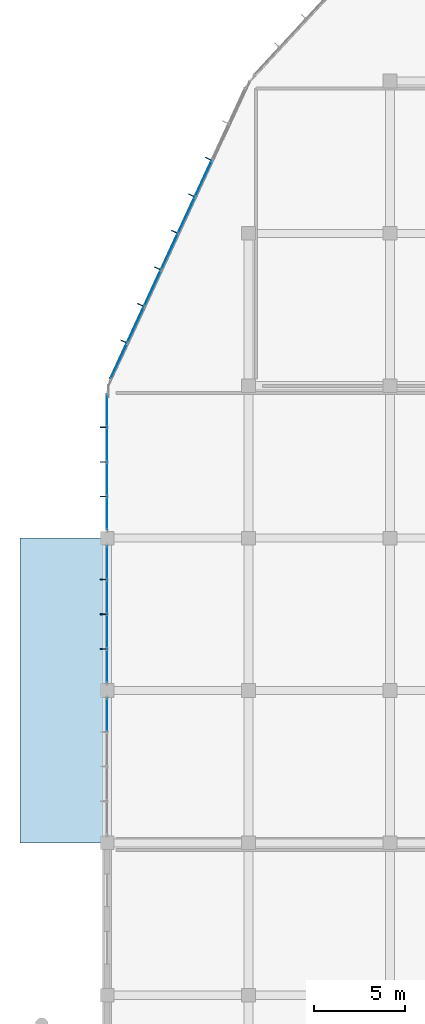
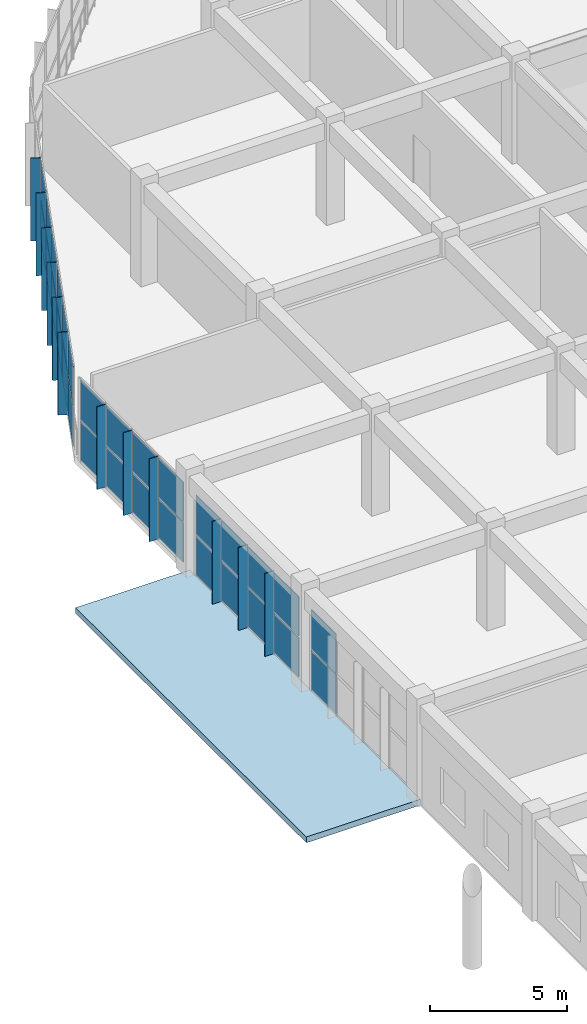
# One storey, part 134 of 175: 42 plates, 1 slab, 4 elements without a shape of their own.
"""IFC4 building model written with IfcOpenShell, lengths in metres."""

from ifc_helpers import new_model, si_unit, direction, frame, origin, origin_2d, place, context, subcontext, project, spatial, polyline, rectangle, outline, extrude, material, layer, layer_set, type_object, element, aggregate, save


model = new_model("IFC4")

# Units and contexts
model_context = context("Model", 3, precision=1e-05, world=origin(), true_north=direction((0.0, 1.0)))
body_context = subcontext(model_context, "Body", "Model", "MODEL_VIEW")
ifc_project = project(units=[si_unit("LENGTHUNIT", "METRE"), si_unit("AREAUNIT", "SQUARE_METRE"), si_unit("VOLUMEUNIT", "CUBIC_METRE"), si_unit("PLANEANGLEUNIT", "RADIAN"), si_unit("MASSUNIT", "GRAM", prefix="KILO")], contexts=[model_context])

# Site, building, storey
site_placement = place(None, origin())
site = spatial("IfcSite", under=ifc_project, at=site_placement, CompositionType="ELEMENT")
building_placement = place(site_placement, origin())
building = spatial("IfcBuilding", under=site, at=building_placement, Name="Zizhar Promenade General Hospital", CompositionType="ELEMENT")
storey_placement = place(building_placement, frame((0.0, 0.0, 4.800048828125)))
storey = spatial("IfcBuildingStorey", under=building, at=storey_placement, Name="L01", CompositionType="ELEMENT", Elevation=4.800048828125)

# Curtain wall, plates
ifc_material_1 = material(Name="Anodised aluminium 6063-T6 and low-E glass", Category="aluminium")
ifc_layer_1 = layer(ifc_material_1, 0.159912109375)
ifc_layer_set_1 = layer_set([ifc_layer_1], Name="Anodised aluminium 6063-T6 and low-E glass")
curtain_wall_type_1 = type_object("IfcCurtainWallType", Name="CW-ED-FRONT", PredefinedType="NOTDEFINED", material=ifc_layer_set_1)
curtain_wall_1_placement = place(storey_placement, origin())
curtain_wall_1 = element("IfcCurtainWall", 1, at=curtain_wall_1_placement, inside=storey, type_object=curtain_wall_type_1, Name="West Diagnostic Arm Glazed Curtain Wall L01-W3", PredefinedType="NOTDEFINED")
ifc_material_2 = material(Name="Low-E solar-control glass", Category="glass")
ifc_layer_2 = layer(ifc_material_2, 0.031982421875)
ifc_layer_set_2 = layer_set([ifc_layer_2], Name="Low-E solar-control glass")
plate_type_1 = type_object("IfcPlateType", Name="CWP-GLZ-32", PredefinedType="CURTAIN_PANEL", material=ifc_layer_set_2)
plate_1_placement = place(storey_placement, frame((0.0, 32.2451171875, 0.06005859375), z_axis=(0.0, 0.0, 1.0), x_axis=(0.0, 1.0, 0.0)))
plate_1 = element("IfcPlate", 2, at=plate_1_placement, type_object=plate_type_1, Name="CW-06 panel 4.1", PredefinedType="CURTAIN_PANEL", context=body_context, shape_type="SweptSolid", body=[
    extrude(rectangle(XDim=1.7900390625, YDim=0.031982421875, at=origin_2d()), origin(), (0.0, 0.0, 1.0), 1.75),
])
plate_2_placement = place(storey_placement, frame((0.0, 32.2451171875, 1.869873046875), z_axis=(0.0, 0.0, 1.0), x_axis=(0.0, 1.0, 0.0)))
plate_2 = element("IfcPlate", 3, at=plate_2_placement, type_object=plate_type_1, Name="CW-06 panel 4.2", PredefinedType="CURTAIN_PANEL", context=body_context, shape_type="SweptSolid", body=[
    extrude(rectangle(XDim=1.7900390625, YDim=0.031982421875, at=origin_2d()), origin(), (0.0, 0.0, 1.0), 1.75),
])
aggregate(curtain_wall_1, [plate_1, plate_2])

curtain_wall_2_placement = place(storey_placement, origin())
curtain_wall_2 = element("IfcCurtainWall", 4, at=curtain_wall_2_placement, inside=storey, type_object=curtain_wall_type_1, Name="West Diagnostic Arm Glazed Curtain Wall L01-W4", PredefinedType="NOTDEFINED")
plate_3_placement = place(storey_placement, frame((0.0, 34.955078125, 0.06005859375), z_axis=(0.0, 0.0, 1.0), x_axis=(0.0, 1.0, 0.0)))
plate_3 = element("IfcPlate", 5, at=plate_3_placement, type_object=plate_type_1, Name="CW-06 panel 1.1", PredefinedType="CURTAIN_PANEL", context=body_context, shape_type="SweptSolid", body=[
    extrude(rectangle(XDim=1.7900390625, YDim=0.031982421875, at=origin_2d()), origin(), (0.0, 0.0, 1.0), 1.75),
])
plate_4_placement = place(storey_placement, frame((0.0, 34.955078125, 1.869873046875), z_axis=(0.0, 0.0, 1.0), x_axis=(0.0, 1.0, 0.0)))
plate_4 = element("IfcPlate", 6, at=plate_4_placement, type_object=plate_type_1, Name="CW-06 panel 1.2", PredefinedType="CURTAIN_PANEL", context=body_context, shape_type="SweptSolid", body=[
    extrude(rectangle(XDim=1.7900390625, YDim=0.031982421875, at=origin_2d()), origin(), (0.0, 0.0, 1.0), 1.75),
])
plate_5_placement = place(storey_placement, frame((0.0, 36.844970703125, 0.06005859375), z_axis=(0.0, 0.0, 1.0), x_axis=(0.0, 1.0, 0.0)))
plate_5 = element("IfcPlate", 7, at=plate_5_placement, type_object=plate_type_1, Name="CW-06 panel 2.1", PredefinedType="CURTAIN_PANEL", context=body_context, shape_type="SweptSolid", body=[
    extrude(rectangle(XDim=1.830078125, YDim=0.031982421875, at=origin_2d()), origin(), (0.0, 0.0, 1.0), 1.75),
])
plate_6_placement = place(storey_placement, frame((0.0, 36.844970703125, 1.869873046875), z_axis=(0.0, 0.0, 1.0), x_axis=(0.0, 1.0, 0.0)))
plate_6 = element("IfcPlate", 8, at=plate_6_placement, type_object=plate_type_1, Name="CW-06 panel 2.2", PredefinedType="CURTAIN_PANEL", context=body_context, shape_type="SweptSolid", body=[
    extrude(rectangle(XDim=1.830078125, YDim=0.031982421875, at=origin_2d()), origin(), (0.0, 0.0, 1.0), 1.75),
])
plate_7_placement = place(storey_placement, frame((0.0, 38.7548828125, 0.06005859375), z_axis=(0.0, 0.0, 1.0), x_axis=(0.0, 1.0, 0.0)))
plate_7 = element("IfcPlate", 9, at=plate_7_placement, type_object=plate_type_1, Name="CW-06 panel 3.1", PredefinedType="CURTAIN_PANEL", context=body_context, shape_type="SweptSolid", body=[
    extrude(rectangle(XDim=1.830078125, YDim=0.031982421875, at=origin_2d()), origin(), (0.0, 0.0, 1.0), 1.75),
])
plate_8_placement = place(storey_placement, frame((0.0, 38.7548828125, 1.869873046875), z_axis=(0.0, 0.0, 1.0), x_axis=(0.0, 1.0, 0.0)))
plate_8 = element("IfcPlate", 10, at=plate_8_placement, type_object=plate_type_1, Name="CW-06 panel 3.2", PredefinedType="CURTAIN_PANEL", context=body_context, shape_type="SweptSolid", body=[
    extrude(rectangle(XDim=1.830078125, YDim=0.031982421875, at=origin_2d()), origin(), (0.0, 0.0, 1.0), 1.75),
])
plate_9_placement = place(storey_placement, frame((0.0, 40.64501953125, 0.06005859375), z_axis=(0.0, 0.0, 1.0), x_axis=(0.0, 1.0, 0.0)))
plate_9 = element("IfcPlate", 11, at=plate_9_placement, type_object=plate_type_1, Name="CW-06 panel 4.1", PredefinedType="CURTAIN_PANEL", context=body_context, shape_type="SweptSolid", body=[
    extrude(rectangle(XDim=1.7900390625, YDim=0.031982421875, at=origin_2d()), origin(), (0.0, 0.0, 1.0), 1.75),
])
plate_10_placement = place(storey_placement, frame((0.0, 40.64501953125, 1.869873046875), z_axis=(0.0, 0.0, 1.0), x_axis=(0.0, 1.0, 0.0)))
plate_10 = element("IfcPlate", 12, at=plate_10_placement, type_object=plate_type_1, Name="CW-06 panel 4.2", PredefinedType="CURTAIN_PANEL", context=body_context, shape_type="SweptSolid", body=[
    extrude(rectangle(XDim=1.7900390625, YDim=0.031982421875, at=origin_2d()), origin(), (0.0, 0.0, 1.0), 1.75),
])
aggregate(curtain_wall_2, [plate_3, plate_4, plate_5, plate_6, plate_7, plate_8, plate_9, plate_10])

curtain_wall_3_placement = place(storey_placement, origin())
curtain_wall_3 = element("IfcCurtainWall", 13, at=curtain_wall_3_placement, inside=storey, type_object=curtain_wall_type_1, Name="West Diagnostic Arm Glazed Curtain Wall L01-W5", PredefinedType="NOTDEFINED")
plate_11_placement = place(storey_placement, frame((0.0, 43.35498046875, 0.06005859375), z_axis=(0.0, 0.0, 1.0), x_axis=(0.0, 1.0, 0.0)))
plate_11 = element("IfcPlate", 14, at=plate_11_placement, type_object=plate_type_1, Name="CW-06 panel 1.1", PredefinedType="CURTAIN_PANEL", context=body_context, shape_type="SweptSolid", body=[
    extrude(rectangle(XDim=1.7900390625, YDim=0.031982421875, at=origin_2d()), origin(), (0.0, 0.0, 1.0), 1.75),
])
plate_12_placement = place(storey_placement, frame((0.0, 43.35498046875, 1.869873046875), z_axis=(0.0, 0.0, 1.0), x_axis=(0.0, 1.0, 0.0)))
plate_12 = element("IfcPlate", 15, at=plate_12_placement, type_object=plate_type_1, Name="CW-06 panel 1.2", PredefinedType="CURTAIN_PANEL", context=body_context, shape_type="SweptSolid", body=[
    extrude(rectangle(XDim=1.7900390625, YDim=0.031982421875, at=origin_2d()), origin(), (0.0, 0.0, 1.0), 1.75),
])
plate_13_placement = place(storey_placement, frame((0.0, 45.2451171875, 0.06005859375), z_axis=(0.0, 0.0, 1.0), x_axis=(0.0, 1.0, 0.0)))
plate_13 = element("IfcPlate", 16, at=plate_13_placement, type_object=plate_type_1, Name="CW-06 panel 2.1", PredefinedType="CURTAIN_PANEL", context=body_context, shape_type="SweptSolid", body=[
    extrude(rectangle(XDim=1.830078125, YDim=0.031982421875, at=origin_2d()), origin(), (0.0, 0.0, 1.0), 1.75),
])
plate_14_placement = place(storey_placement, frame((0.0, 45.2451171875, 1.869873046875), z_axis=(0.0, 0.0, 1.0), x_axis=(0.0, 1.0, 0.0)))
plate_14 = element("IfcPlate", 17, at=plate_14_placement, type_object=plate_type_1, Name="CW-06 panel 2.2", PredefinedType="CURTAIN_PANEL", context=body_context, shape_type="SweptSolid", body=[
    extrude(rectangle(XDim=1.830078125, YDim=0.031982421875, at=origin_2d()), origin(), (0.0, 0.0, 1.0), 1.75),
])
plate_15_placement = place(storey_placement, frame((0.0, 47.155029296875, 0.06005859375), z_axis=(0.0, 0.0, 1.0), x_axis=(0.0, 1.0, 0.0)))
plate_15 = element("IfcPlate", 18, at=plate_15_placement, type_object=plate_type_1, Name="CW-06 panel 3.1", PredefinedType="CURTAIN_PANEL", context=body_context, shape_type="SweptSolid", body=[
    extrude(rectangle(XDim=1.830078125, YDim=0.031982421875, at=origin_2d()), origin(), (0.0, 0.0, 1.0), 1.75),
])
plate_16_placement = place(storey_placement, frame((0.0, 47.155029296875, 1.869873046875), z_axis=(0.0, 0.0, 1.0), x_axis=(0.0, 1.0, 0.0)))
plate_16 = element("IfcPlate", 19, at=plate_16_placement, type_object=plate_type_1, Name="CW-06 panel 3.2", PredefinedType="CURTAIN_PANEL", context=body_context, shape_type="SweptSolid", body=[
    extrude(rectangle(XDim=1.830078125, YDim=0.031982421875, at=origin_2d()), origin(), (0.0, 0.0, 1.0), 1.75),
])
plate_17_placement = place(storey_placement, frame((0.0, 49.044921875, 0.06005859375), z_axis=(0.0, 0.0, 1.0), x_axis=(0.0, 1.0, 0.0)))
plate_17 = element("IfcPlate", 20, at=plate_17_placement, type_object=plate_type_1, Name="CW-06 panel 4.1", PredefinedType="CURTAIN_PANEL", context=body_context, shape_type="SweptSolid", body=[
    extrude(rectangle(XDim=1.7900390625, YDim=0.031982421875, at=origin_2d()), origin(), (0.0, 0.0, 1.0), 1.75),
])
plate_18_placement = place(storey_placement, frame((0.0, 49.044921875, 1.869873046875), z_axis=(0.0, 0.0, 1.0), x_axis=(0.0, 1.0, 0.0)))
plate_18 = element("IfcPlate", 21, at=plate_18_placement, type_object=plate_type_1, Name="CW-06 panel 4.2", PredefinedType="CURTAIN_PANEL", context=body_context, shape_type="SweptSolid", body=[
    extrude(rectangle(XDim=1.7900390625, YDim=0.031982421875, at=origin_2d()), origin(), (0.0, 0.0, 1.0), 1.75),
])
aggregate(curtain_wall_3, [plate_11, plate_12, plate_13, plate_14, plate_15, plate_16, plate_17, plate_18])

ifc_material_3 = material(Name="Anodised aluminium 6063-T6 and low-E glass", Category="aluminium")
ifc_layer_3 = layer(ifc_material_3, 0.159912109375)
ifc_layer_set_3 = layer_set([ifc_layer_3], Name="Anodised aluminium 6063-T6 and low-E glass")
curtain_wall_type_2 = type_object("IfcCurtainWallType", Name="CW-DT-MOD2", PredefinedType="NOTDEFINED", material=ifc_layer_set_3)
curtain_wall_4_placement = place(storey_placement, origin())
curtain_wall_4 = element("IfcCurtainWall", 22, at=curtain_wall_4_placement, inside=storey, type_object=curtain_wall_type_2, Name="West Diagnostic Arm Glazed Curtain Wall L01-NW1", PredefinedType="NOTDEFINED")
plate_19_placement = place(storey_placement, frame((0.635986328125, 51.769775390625, 0.06005859375), z_axis=(0.0, 0.0, 1.0), x_axis=(0.421114945486, 0.907007278189, 0.0)))
plate_19 = element("IfcPlate", 23, at=plate_19_placement, type_object=plate_type_1, Name="CW-08 panel 1.1", PredefinedType="CURTAIN_PANEL", context=body_context, shape_type="SweptSolid", body=[
    extrude(rectangle(XDim=2.100341796875, YDim=0.031982421875, at=origin_2d()), origin(), (0.0, 0.0, 1.0), 1.75),
])
plate_20_placement = place(storey_placement, frame((0.635986328125, 51.769775390625, 1.869873046875), z_axis=(0.0, 0.0, 1.0), x_axis=(0.421114945486, 0.907007278189, 0.0)))
plate_20 = element("IfcPlate", 24, at=plate_20_placement, type_object=plate_type_1, Name="CW-08 panel 1.2", PredefinedType="CURTAIN_PANEL", context=body_context, shape_type="SweptSolid", body=[
    extrude(rectangle(XDim=2.100341796875, YDim=0.031982421875, at=origin_2d()), origin(), (0.0, 0.0, 1.0), 1.75),
])
plate_21_placement = place(storey_placement, frame((1.5625, 53.765380859375, 0.06005859375), z_axis=(0.0, 0.0, 1.0), x_axis=(0.421114945486, 0.907007278189, 0.0)))
plate_21 = element("IfcPlate", 25, at=plate_21_placement, type_object=plate_type_1, Name="CW-08 panel 2.1", PredefinedType="CURTAIN_PANEL", context=body_context, shape_type="SweptSolid", body=[
    extrude(rectangle(XDim=2.140380859375, YDim=0.031982421875, at=origin_2d()), origin(), (0.0, 0.0, 1.0), 1.75),
])
plate_22_placement = place(storey_placement, frame((1.5625, 53.765380859375, 1.869873046875), z_axis=(0.0, 0.0, 1.0), x_axis=(0.421114945486, 0.907007278189, 0.0)))
plate_22 = element("IfcPlate", 26, at=plate_22_placement, type_object=plate_type_1, Name="CW-08 panel 2.2", PredefinedType="CURTAIN_PANEL", context=body_context, shape_type="SweptSolid", body=[
    extrude(rectangle(XDim=2.140380859375, YDim=0.031982421875, at=origin_2d()), origin(), (0.0, 0.0, 1.0), 1.75),
])
plate_23_placement = place(storey_placement, frame((2.49755859375, 55.779296875, 0.06005859375), z_axis=(0.0, 0.0, 1.0), x_axis=(0.421114945486, 0.907007278189, 0.0)))
plate_23 = element("IfcPlate", 27, at=plate_23_placement, type_object=plate_type_1, Name="CW-08 panel 3.1", PredefinedType="CURTAIN_PANEL", context=body_context, shape_type="SweptSolid", body=[
    extrude(rectangle(XDim=2.140380859375, YDim=0.031982421875, at=origin_2d()), origin(), (0.0, 0.0, 1.0), 1.75),
])
plate_24_placement = place(storey_placement, frame((2.49755859375, 55.779296875, 1.869873046875), z_axis=(0.0, 0.0, 1.0), x_axis=(0.421114945486, 0.907007278189, 0.0)))
plate_24 = element("IfcPlate", 28, at=plate_24_placement, type_object=plate_type_1, Name="CW-08 panel 3.2", PredefinedType="CURTAIN_PANEL", context=body_context, shape_type="SweptSolid", body=[
    extrude(rectangle(XDim=2.140380859375, YDim=0.031982421875, at=origin_2d()), origin(), (0.0, 0.0, 1.0), 1.75),
])
plate_25_placement = place(storey_placement, frame((3.4326171875, 57.79296875, 0.06005859375), z_axis=(0.0, 0.0, 1.0), x_axis=(0.421114945486, 0.907007278189, 0.0)))
plate_25 = element("IfcPlate", 29, at=plate_25_placement, type_object=plate_type_1, Name="CW-08 panel 4.1", PredefinedType="CURTAIN_PANEL", context=body_context, shape_type="SweptSolid", body=[
    extrude(rectangle(XDim=2.140380859375, YDim=0.031982421875, at=origin_2d()), origin(), (0.0, 0.0, 1.0), 1.75),
])
plate_26_placement = place(storey_placement, frame((3.4326171875, 57.79296875, 1.869873046875), z_axis=(0.0, 0.0, 1.0), x_axis=(0.421114945486, 0.907007278189, 0.0)))
plate_26 = element("IfcPlate", 30, at=plate_26_placement, type_object=plate_type_1, Name="CW-08 panel 4.2", PredefinedType="CURTAIN_PANEL", context=body_context, shape_type="SweptSolid", body=[
    extrude(rectangle(XDim=2.140380859375, YDim=0.031982421875, at=origin_2d()), origin(), (0.0, 0.0, 1.0), 1.75),
])
plate_27_placement = place(storey_placement, frame((4.367431640625, 59.806884765625, 0.06005859375), z_axis=(0.0, 0.0, 1.0), x_axis=(0.421114945486, 0.907007278189, 0.0)))
plate_27 = element("IfcPlate", 31, at=plate_27_placement, type_object=plate_type_1, Name="CW-08 panel 5.1", PredefinedType="CURTAIN_PANEL", context=body_context, shape_type="SweptSolid", body=[
    extrude(rectangle(XDim=2.140380859375, YDim=0.031982421875, at=origin_2d()), origin(), (0.0, 0.0, 1.0), 1.75),
])
plate_28_placement = place(storey_placement, frame((4.367431640625, 59.806884765625, 1.869873046875), z_axis=(0.0, 0.0, 1.0), x_axis=(0.421114945486, 0.907007278189, 0.0)))
plate_28 = element("IfcPlate", 32, at=plate_28_placement, type_object=plate_type_1, Name="CW-08 panel 5.2", PredefinedType="CURTAIN_PANEL", context=body_context, shape_type="SweptSolid", body=[
    extrude(rectangle(XDim=2.140380859375, YDim=0.031982421875, at=origin_2d()), origin(), (0.0, 0.0, 1.0), 1.75),
])
plate_29_placement = place(storey_placement, frame((5.302490234375, 61.82080078125, 0.06005859375), z_axis=(0.0, 0.0, 1.0), x_axis=(0.421114945486, 0.907007278189, 0.0)))
plate_29 = element("IfcPlate", 33, at=plate_29_placement, type_object=plate_type_1, Name="CW-08 panel 6.1", PredefinedType="CURTAIN_PANEL", context=body_context, shape_type="SweptSolid", body=[
    extrude(rectangle(XDim=2.140380859375, YDim=0.031982421875, at=origin_2d()), origin(), (0.0, 0.0, 1.0), 1.75),
])
plate_30_placement = place(storey_placement, frame((5.302490234375, 61.82080078125, 1.869873046875), z_axis=(0.0, 0.0, 1.0), x_axis=(0.421114945486, 0.907007278189, 0.0)))
plate_30 = element("IfcPlate", 34, at=plate_30_placement, type_object=plate_type_1, Name="CW-08 panel 6.2", PredefinedType="CURTAIN_PANEL", context=body_context, shape_type="SweptSolid", body=[
    extrude(rectangle(XDim=2.140380859375, YDim=0.031982421875, at=origin_2d()), origin(), (0.0, 0.0, 1.0), 1.75),
])
aggregate(curtain_wall_4, [plate_19, plate_20, plate_21, plate_22, plate_23, plate_24, plate_25, plate_26, plate_27, plate_28, plate_29, plate_30])

# Plates
ifc_material_4 = material(Name="Anodised aluminium 6063-T6", Category="aluminium")
ifc_layer_4 = layer(ifc_material_4, 0.035888671875)
ifc_layer_set_4 = layer_set([ifc_layer_4], Name="Anodised aluminium 6063-T6")
plate_type_2 = type_object("IfcPlateType", Name="FIN-ALU-380", PredefinedType="USERDEFINED", material=ifc_layer_set_4)
plate_31_placement = place(storey_placement, origin())
element("IfcPlate", 35, at=plate_31_placement, inside=storey, type_object=plate_type_2, Name="West Diagnostic Arm Glazed Curtain Wall L01-W4 Solar Fin 1", ObjectType="SOLAR_SHADE", PredefinedType="USERDEFINED", context=body_context, shape_type="SweptSolid", body=[
    extrude(outline(polyline([(0.0, 35.8720703125), (0.0, 35.907958984375), (-0.3798828125, 35.907958984375), (-0.3798828125, 35.8720703125), (0.0, 35.8720703125)])), origin(), (0.0, 0.0, 1.0), 3.679931640625),
])
plate_32_placement = place(storey_placement, origin())
element("IfcPlate", 36, at=plate_32_placement, inside=storey, type_object=plate_type_2, Name="West Diagnostic Arm Glazed Curtain Wall L01-W4 Solar Fin 2", ObjectType="SOLAR_SHADE", PredefinedType="USERDEFINED", context=body_context, shape_type="SweptSolid", body=[
    extrude(outline(polyline([(0.0, 37.781982421875), (0.0, 37.818115234375), (-0.3798828125, 37.818115234375), (-0.3798828125, 37.781982421875), (0.0, 37.781982421875)])), origin(), (0.0, 0.0, 1.0), 3.679931640625),
])
plate_33_placement = place(storey_placement, origin())
element("IfcPlate", 37, at=plate_33_placement, inside=storey, type_object=plate_type_2, Name="West Diagnostic Arm Glazed Curtain Wall L01-W4 Solar Fin 3", ObjectType="SOLAR_SHADE", PredefinedType="USERDEFINED", context=body_context, shape_type="SweptSolid", body=[
    extrude(outline(polyline([(0.0, 39.69189453125), (0.0, 39.72802734375), (-0.3798828125, 39.72802734375), (-0.3798828125, 39.69189453125), (0.0, 39.69189453125)])), origin(), (0.0, 0.0, 1.0), 3.679931640625),
])
plate_34_placement = place(storey_placement, origin())
element("IfcPlate", 38, at=plate_34_placement, inside=storey, type_object=plate_type_2, Name="West Diagnostic Arm Glazed Curtain Wall L01-W5 Solar Fin 1", ObjectType="SOLAR_SHADE", PredefinedType="USERDEFINED", context=body_context, shape_type="SweptSolid", body=[
    extrude(outline(polyline([(0.0, 44.27197265625), (0.0, 44.30810546875), (-0.3798828125, 44.30810546875), (-0.3798828125, 44.27197265625), (0.0, 44.27197265625)])), origin(), (0.0, 0.0, 1.0), 3.679931640625),
])
plate_35_placement = place(storey_placement, origin())
element("IfcPlate", 39, at=plate_35_placement, inside=storey, type_object=plate_type_2, Name="West Diagnostic Arm Glazed Curtain Wall L01-W5 Solar Fin 2", ObjectType="SOLAR_SHADE", PredefinedType="USERDEFINED", context=body_context, shape_type="SweptSolid", body=[
    extrude(outline(polyline([(0.0, 46.181884765625), (0.0, 46.218017578125), (-0.3798828125, 46.218017578125), (-0.3798828125, 46.181884765625), (0.0, 46.181884765625)])), origin(), (0.0, 0.0, 1.0), 3.679931640625),
])
plate_36_placement = place(storey_placement, origin())
element("IfcPlate", 40, at=plate_36_placement, inside=storey, type_object=plate_type_2, Name="West Diagnostic Arm Glazed Curtain Wall L01-W5 Solar Fin 3", ObjectType="SOLAR_SHADE", PredefinedType="USERDEFINED", context=body_context, shape_type="SweptSolid", body=[
    extrude(outline(polyline([(0.0, 48.092041015625), (0.0, 48.1279296875), (-0.3798828125, 48.1279296875), (-0.3798828125, 48.092041015625), (0.0, 48.092041015625)])), origin(), (0.0, 0.0, 1.0), 3.679931640625),
])
plate_37_placement = place(storey_placement, origin())
element("IfcPlate", 41, at=plate_37_placement, inside=storey, type_object=plate_type_2, Name="West Diagnostic Arm Glazed Curtain Wall L01-NW1 Solar Fin 1", ObjectType="SOLAR_SHADE", PredefinedType="USERDEFINED", context=body_context, shape_type="SweptSolid", body=[
    extrude(outline(polyline([(1.08740234375, 52.7421875), (1.1025390625, 52.77490234375), (0.7578125, 52.934814453125), (0.742919921875, 52.902099609375), (1.08740234375, 52.7421875)])), origin(), (0.0, 0.0, 1.0), 3.679931640625),
])
plate_38_placement = place(storey_placement, origin())
element("IfcPlate", 42, at=plate_38_placement, inside=storey, type_object=plate_type_2, Name="West Diagnostic Arm Glazed Curtain Wall L01-NW1 Solar Fin 2", ObjectType="SOLAR_SHADE", PredefinedType="USERDEFINED", context=body_context, shape_type="SweptSolid", body=[
    extrude(outline(polyline([(2.0224609375, 54.756103515625), (2.03759765625, 54.788818359375), (1.69287109375, 54.94873046875), (1.677734375, 54.916015625), (2.0224609375, 54.756103515625)])), origin(), (0.0, 0.0, 1.0), 3.679931640625),
])
plate_39_placement = place(storey_placement, origin())
element("IfcPlate", 43, at=plate_39_placement, inside=storey, type_object=plate_type_2, Name="West Diagnostic Arm Glazed Curtain Wall L01-NW1 Solar Fin 3", ObjectType="SOLAR_SHADE", PredefinedType="USERDEFINED", context=body_context, shape_type="SweptSolid", body=[
    extrude(outline(polyline([(2.95751953125, 56.769775390625), (2.97265625, 56.802490234375), (2.6279296875, 56.96240234375), (2.61279296875, 56.929931640625), (2.95751953125, 56.769775390625)])), origin(), (0.0, 0.0, 1.0), 3.679931640625),
])
plate_40_placement = place(storey_placement, origin())
element("IfcPlate", 44, at=plate_40_placement, inside=storey, type_object=plate_type_2, Name="West Diagnostic Arm Glazed Curtain Wall L01-NW1 Solar Fin 4", ObjectType="SOLAR_SHADE", PredefinedType="USERDEFINED", context=body_context, shape_type="SweptSolid", body=[
    extrude(outline(polyline([(3.892333984375, 58.78369140625), (3.90771484375, 58.81640625), (3.56298828125, 58.976318359375), (3.5478515625, 58.943603515625), (3.892333984375, 58.78369140625)])), origin(), (0.0, 0.0, 1.0), 3.679931640625),
])
plate_41_placement = place(storey_placement, origin())
element("IfcPlate", 45, at=plate_41_placement, inside=storey, type_object=plate_type_2, Name="West Diagnostic Arm Glazed Curtain Wall L01-NW1 Solar Fin 5", ObjectType="SOLAR_SHADE", PredefinedType="USERDEFINED", context=body_context, shape_type="SweptSolid", body=[
    extrude(outline(polyline([(4.827392578125, 60.797607421875), (4.842529296875, 60.830078125), (4.497802734375, 60.990234375), (4.48291015625, 60.95751953125), (4.827392578125, 60.797607421875)])), origin(), (0.0, 0.0, 1.0), 3.679931640625),
])
plate_42_placement = place(storey_placement, origin())
element("IfcPlate", 46, at=plate_42_placement, inside=storey, type_object=plate_type_2, Name="West Diagnostic Arm Glazed Curtain Wall L01-NW1 Solar Fin 6", ObjectType="SOLAR_SHADE", PredefinedType="USERDEFINED", context=body_context, shape_type="SweptSolid", body=[
    extrude(outline(polyline([(5.762451171875, 62.811279296875), (5.777587890625, 62.843994140625), (5.432861328125, 63.00390625), (5.417724609375, 62.97119140625), (5.762451171875, 62.811279296875)])), origin(), (0.0, 0.0, 1.0), 3.679931640625),
])

# Slab
ifc_material_5 = material(Name="Concrete C35/45", Category="concrete")
ifc_layer_5 = layer(ifc_material_5, 0.260009765625)
ifc_layer_set_5 = layer_set([ifc_layer_5], Name="Concrete C35/45")
slab_type = type_object("IfcSlabType", Name="SLB-ROOF-260", PredefinedType="ROOF", material=ifc_layer_set_5)
slab_placement = place(storey_placement, frame((0.0, 0.0, -0.260009765625)))
element("IfcSlab", 47, at=slab_placement, inside=storey, type_object=slab_type, Name="Emergency Ambulance Bay Cantilever Canopy Slab", PredefinedType="ROOF", context=body_context, shape_type="SweptSolid", body=[
    extrude(outline(polyline([(-4.800048828125, 25.199951171875), (0.0, 25.199951171875), (0.0, 42.0), (-4.800048828125, 42.0), (-4.800048828125, 25.199951171875)])), origin(), (0.0, 0.0, 1.0), 0.260009765625),
])

save(model, "model.ifc")
